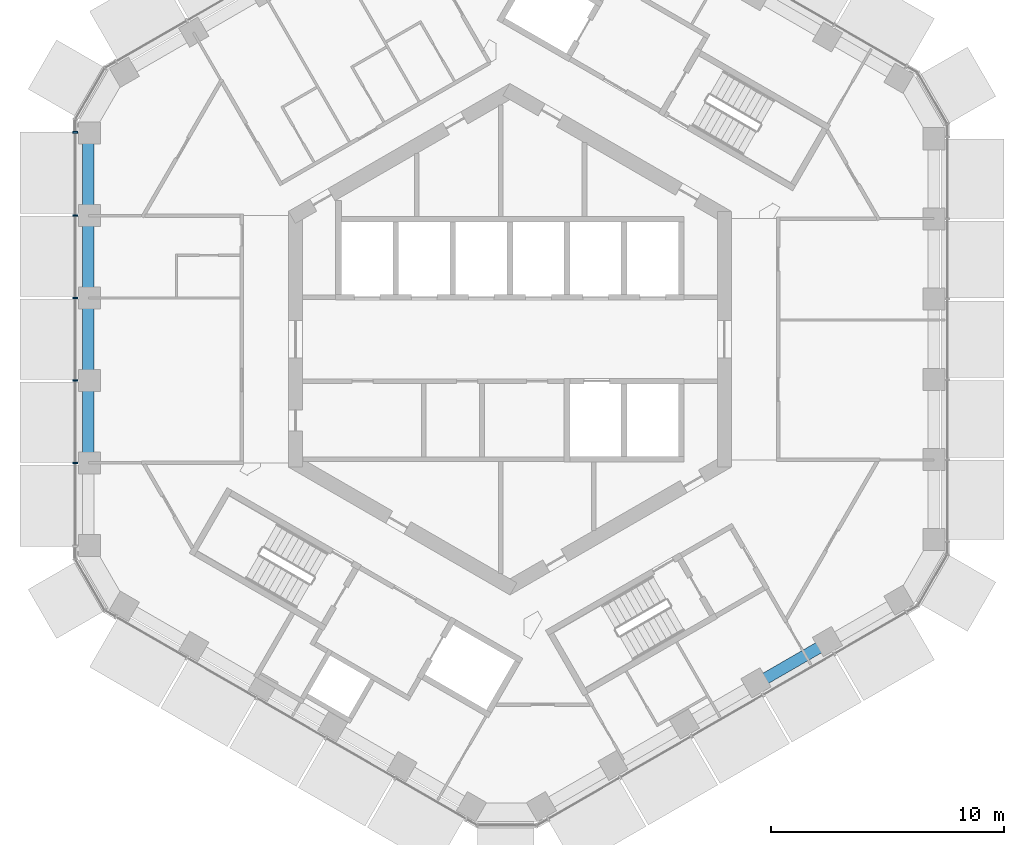
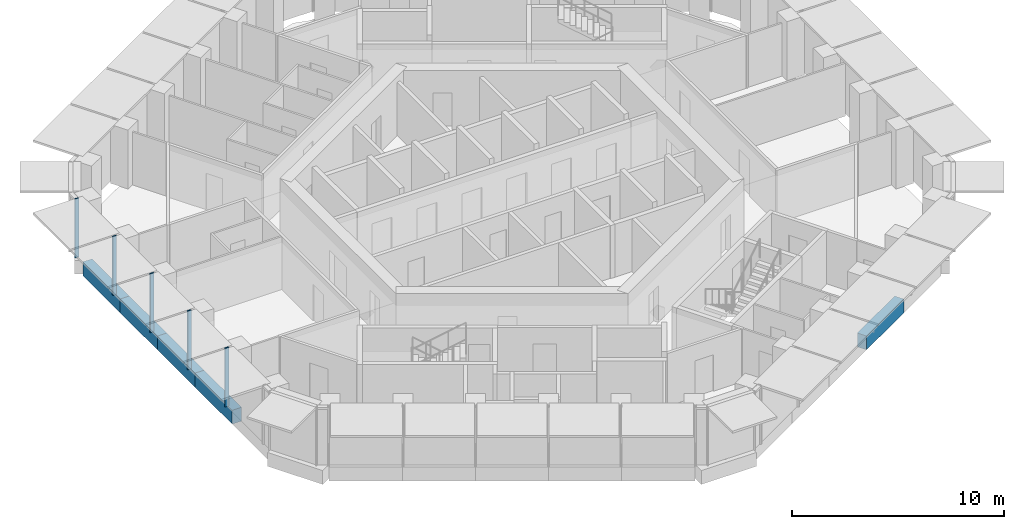
# One storey, part 3 of 18: 5 beams, 5 members, 1 element without a shape of its own.
"""IFC4 building model written with IfcOpenShell, lengths in metres."""

from ifc_helpers import new_model, si_unit, direction, frame, origin, origin_2d, place, context, subcontext, project, spatial, rectangle, extrude, material, layer, layer_set, material_profile, profile_set, type_object, element, aggregate, save


model = new_model("IFC4")

# Units and contexts
model_context = context("Model", 3, precision=1e-05, world=origin(), true_north=direction((0.0, 1.0)))
body_context = subcontext(model_context, "Body", "Model", "MODEL_VIEW")
ifc_project = project(units=[si_unit("LENGTHUNIT", "METRE"), si_unit("AREAUNIT", "SQUARE_METRE"), si_unit("VOLUMEUNIT", "CUBIC_METRE"), si_unit("PLANEANGLEUNIT", "RADIAN"), si_unit("MASSUNIT", "GRAM", prefix="KILO")], contexts=[model_context])

# Site, building, storey
site_placement = place(None, origin())
site = spatial("IfcSite", under=ifc_project, at=site_placement, CompositionType="ELEMENT")
building_placement = place(site_placement, origin())
building = spatial("IfcBuilding", under=site, at=building_placement, Name="Ayvan Gate Tower", CompositionType="ELEMENT")
storey_placement = place(building_placement, frame((0.0, 0.0, 159.5)))
storey = spatial("IfcBuildingStorey", under=building, at=storey_placement, Name="L42", CompositionType="ELEMENT", Elevation=159.5)

# Beams
ifc_material_1 = material(Name="Concrete C40/50", Category="concrete")
ifc_material_profile_1 = material_profile(ifc_material_1, rectangle(XDim=0.5, YDim=0.800048828125, at=origin_2d()), Name="RC 500x800")
ifc_profile_set_1 = profile_set([ifc_material_profile_1], Name="Concrete C40/50")
beam_type = type_object("IfcBeamType", Name="Spandrel beam RC 500x800 C40/50", PredefinedType="BEAM", material=ifc_profile_set_1)
for number, where, z_axis, x_axis, name in (
    (1, (-18.080810546875, 8.828857421875, -0.75), (0.0, -1.0, 0.0), (1.0, 0.0, 0.0), "SB-L42-19"),
    (2, (-18.080810546875, 5.29736328125, -0.75), (0.0, -1.0, 0.0), (1.0, 0.0, 0.0), "SB-L42-20"),
):
    element("IfcBeam", number, at=place(storey_placement, frame(where, z_axis=z_axis, x_axis=x_axis)), inside=storey, type_object=beam_type, Name=name, PredefinedType="BEAM", context=body_context, shape_type="SweptSolid", body=[
        extrude(rectangle(XDim=0.5, YDim=0.800048828125, at=origin_2d()), origin(), (0.0, 0.0, 1.0), 3.531494140625),
    ])
beam_1_placement = place(storey_placement, frame((-18.080810546875, 1.765869140625, -0.75), z_axis=(0.0, -1.0, 0.0), x_axis=(1.0, 0.0, 0.0)))
element("IfcBeam", 3, at=beam_1_placement, inside=storey, type_object=beam_type, Name="SB-L42-21", PredefinedType="BEAM", context=body_context, shape_type="SweptSolid", body=[
    extrude(rectangle(XDim=0.5, YDim=0.800048828125, at=origin_2d()), origin(), (0.0, 0.0, 1.0), 3.53173828125),
])
beam_2_placement = place(storey_placement, frame((-18.080810546875, -1.765869140625, -0.75), z_axis=(0.0, -1.0, 0.0), x_axis=(1.0, 0.0, 0.0)))
element("IfcBeam", 4, at=beam_2_placement, inside=storey, type_object=beam_type, Name="SB-L42-22", PredefinedType="BEAM", context=body_context, shape_type="SweptSolid", body=[
    extrude(rectangle(XDim=0.5, YDim=0.800048828125, at=origin_2d()), origin(), (0.0, 0.0, 1.0), 3.531494140625),
])
beam_3_placement = place(storey_placement, frame((10.569580078125, -14.775634765625, -0.75), z_axis=(0.866026725994, 0.499997709859, 0.0), x_axis=(-0.499997709859, 0.866026725994, 0.0)))
element("IfcBeam", 5, at=beam_3_placement, inside=storey, type_object=beam_type, Name="SB-L42-34", PredefinedType="BEAM", context=body_context, shape_type="SweptSolid", body=[
    extrude(rectangle(XDim=0.5, YDim=0.800048828125, at=origin_2d()), origin(), (0.0, 0.0, 1.0), 3.53173828125),
])

# Curtain wall, members
ifc_material_2 = material(Name="Bronze anodised aluminium", Category="aluminium")
ifc_layer = layer(ifc_material_2, 0.199951171875)
ifc_layer_set = layer_set([ifc_layer], Name="Bronze anodised aluminium")
curtain_wall_type = type_object("IfcCurtainWallType", Name="Stick curtain wall CW-2", PredefinedType="NOTDEFINED", material=ifc_layer_set)
curtain_wall_placement = place(storey_placement, origin())
curtain_wall = element("IfcCurtainWall", 6, at=curtain_wall_placement, inside=storey, type_object=curtain_wall_type, Name="Stick curtain wall CW-2 L42", PredefinedType="NOTDEFINED")
ifc_material_profile_2 = material_profile(ifc_material_2, rectangle(XDim=0.199951171875, YDim=0.070068359375, at=origin_2d()), Name="Stick curtain wall CW-2 mullion 200 x 70")
ifc_profile_set_2 = profile_set([ifc_material_profile_2], Name="Bronze anodised aluminium")
member_type = type_object("IfcMemberType", Name="Stick curtain wall CW-2 mullion 200 x 70", PredefinedType="MULLION", material=ifc_profile_set_2)
member_1_placement = place(storey_placement, frame((-18.642822265625, 8.877197265625, 0.0), z_axis=(0.0, 0.0, 1.0), x_axis=(-1.0, 0.0, 0.0)))
member_1 = element("IfcMember", 7, at=member_1_placement, type_object=member_type, Name="CW-2 mullion 1", PredefinedType="MULLION", context=body_context, shape_type="SweptSolid", body=[
    extrude(rectangle(XDim=0.199951171875, YDim=0.070068359375, at=origin_2d()), origin(), (0.0, 0.0, 1.0), 3.39990234375),
])
member_2_placement = place(storey_placement, frame((-18.642822265625, 5.312255859375, 0.0), z_axis=(0.0, 0.0, 1.0), x_axis=(-1.0, 0.0, 0.0)))
member_2 = element("IfcMember", 8, at=member_2_placement, type_object=member_type, Name="CW-2 mullion 2", PredefinedType="MULLION", context=body_context, shape_type="SweptSolid", body=[
    extrude(rectangle(XDim=0.199951171875, YDim=0.070068359375, at=origin_2d()), origin(), (0.0, 0.0, 1.0), 3.39990234375),
])
member_3_placement = place(storey_placement, frame((-18.642822265625, 1.771240234375, 0.0), z_axis=(0.0, 0.0, 1.0), x_axis=(-1.0, 0.0, 0.0)))
member_3 = element("IfcMember", 9, at=member_3_placement, type_object=member_type, Name="CW-2 mullion 3", PredefinedType="MULLION", context=body_context, shape_type="SweptSolid", body=[
    extrude(rectangle(XDim=0.199951171875, YDim=0.070068359375, at=origin_2d()), origin(), (0.0, 0.0, 1.0), 3.39990234375),
])
member_4_placement = place(storey_placement, frame((-18.642822265625, -1.770751953125, 0.0), z_axis=(0.0, 0.0, 1.0), x_axis=(-1.0, 0.0, 0.0)))
member_4 = element("IfcMember", 10, at=member_4_placement, type_object=member_type, Name="CW-2 mullion 4", PredefinedType="MULLION", context=body_context, shape_type="SweptSolid", body=[
    extrude(rectangle(XDim=0.199951171875, YDim=0.070068359375, at=origin_2d()), origin(), (0.0, 0.0, 1.0), 3.39990234375),
])
member_5_placement = place(storey_placement, frame((-18.642822265625, -5.311767578125, 0.0), z_axis=(0.0, 0.0, 1.0), x_axis=(-1.0, 0.0, 0.0)))
member_5 = element("IfcMember", 11, at=member_5_placement, type_object=member_type, Name="CW-2 mullion 5", PredefinedType="MULLION", context=body_context, shape_type="SweptSolid", body=[
    extrude(rectangle(XDim=0.199951171875, YDim=0.070068359375, at=origin_2d()), origin(), (0.0, 0.0, 1.0), 3.39990234375),
])
aggregate(curtain_wall, [member_1, member_2, member_3, member_4, member_5])

save(model, "model.ifc")
